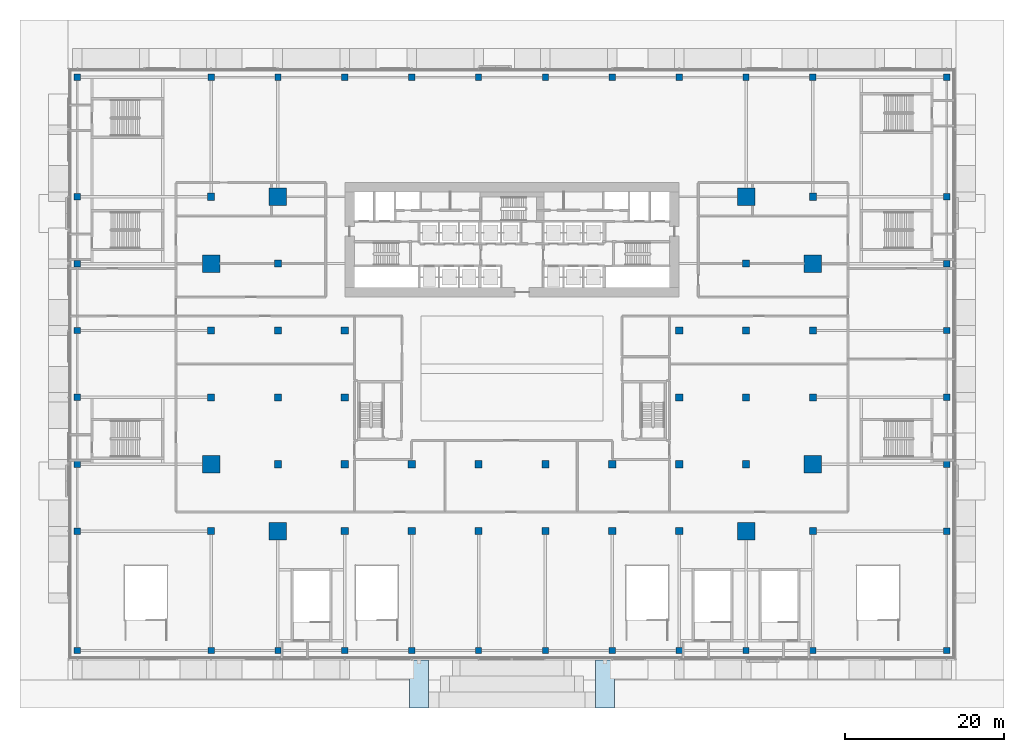
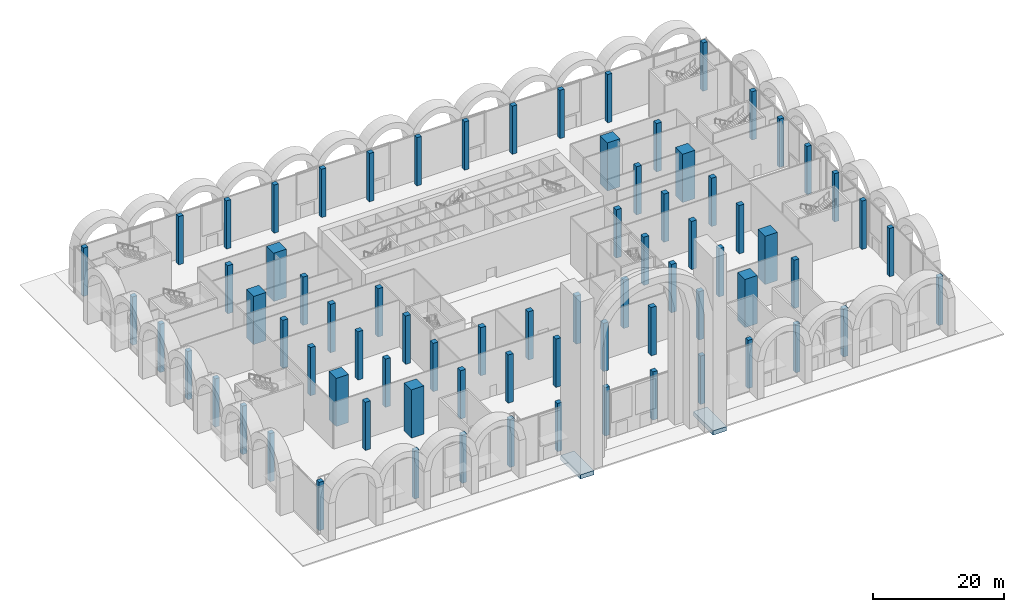
# One storey, part 1 of 43: 76 columns, 2 footings.
"""IFC4 building model written with IfcOpenShell, lengths in metres."""

import ifcopenshell
import ifcopenshell.guid

model = None  # the IFC model being written
_history = None  # IfcOwnerHistory: only IFC2X3 demands one
_inside = {}  # id of a spatial element -> (the spatial element, [elements in it])
_under = {}  # id of a project, library or spatial element -> (it, [spatial elements below it])
_declared = {}  # id of a project -> (the project, [libraries it declares])
_typed = {}  # id of a type object -> (the type object, [elements of that type])
_made_of = {}  # id of a material, layer set ... -> (it, [elements and type objects made of it])


def new_model(schema):
    """Start an empty IFC model of exactly this schema.

    Asked for "IFC4X3", IfcOpenShell would pick the latest addendum, in which some entities
    have other attributes; the version numbers below select the first issue.
    IFC2X3 requires an IfcOwnerHistory on every rooted entity: one is made here for all.
    """
    global model, _history
    if schema == "IFC4X3":
        model = ifcopenshell.file(schema_version=(4, 3, 0, 0))
    else:
        model = ifcopenshell.file(schema=schema)
    _inside.clear()
    _under.clear()
    _declared.clear()
    _typed.clear()
    _made_of.clear()
    _history = None
    if model.schema == "IFC2X3":
        org = make("IfcOrganization", Name="unknown")
        user = make(
            "IfcPersonAndOrganization",
            ThePerson=make("IfcPerson", FamilyName="unknown"),
            TheOrganization=org,
        )
        app = make(
            "IfcApplication",
            ApplicationDeveloper=org,
            Version="unknown",
            ApplicationFullName="unknown",
            ApplicationIdentifier="unknown",
        )
        _history = make(
            "IfcOwnerHistory",
            OwningUser=user,
            OwningApplication=app,
            ChangeAction="ADDED",
            CreationDate=0,
        )
    return model


def make(cls, **values):
    """One entity of the class cls with the attributes given. An attribute that is None is left unset."""
    return model.create_entity(
        cls, **{name: value for name, value in values.items() if value is not None}
    )


def rooted(cls, **values):
    """An entity with a GlobalId (a new one), such as an element, a storey or a relation."""
    return make(cls, GlobalId=ifcopenshell.guid.new(), OwnerHistory=_history, **values)


def si_unit(unit_type, name, prefix=None):
    """IfcSIUnit, for example si_unit("LENGTHUNIT", "METRE", prefix="MILLI")."""
    return make("IfcSIUnit", UnitType=unit_type, Prefix=prefix, Name=name)


def assignment(units):
    """IfcUnitAssignment: the units of a project."""
    return None if units is None else make("IfcUnitAssignment", Units=units)


def point(xyz):
    """IfcCartesianPoint."""
    return None if xyz is None else make("IfcCartesianPoint", Coordinates=xyz)


def direction(xyz):
    """IfcDirection."""
    return None if xyz is None else make("IfcDirection", DirectionRatios=xyz)


def frame(location, z_axis=None, x_axis=None):
    """IfcAxis2Placement3D, a coordinate frame: its origin and axes. An axis left out is left unset."""
    return make(
        "IfcAxis2Placement3D",
        Location=point(location),
        Axis=direction(z_axis),
        RefDirection=direction(x_axis),
    )


def frame_2d(location, x_axis=None):
    """IfcAxis2Placement2D, a coordinate frame in the plane: its origin and x axis."""
    return make(
        "IfcAxis2Placement2D", Location=point(location), RefDirection=direction(x_axis)
    )


def origin():
    """The frame at (0, 0, 0) with its axes left unset."""
    return frame((0.0, 0.0, 0.0))


def origin_2d():
    """The frame at (0, 0) in the plane with its x axis left unset."""
    return frame_2d((0.0, 0.0))


def place(relative_to, where):
    """IfcLocalPlacement: puts the frame where relative to a parent placement (None: the world)."""
    return make(
        "IfcLocalPlacement", PlacementRelTo=relative_to, RelativePlacement=where
    )


def context(
    kind, dimensions, precision=None, world=None, true_north=None, identifier=None
):
    """IfcGeometricRepresentationContext, for example the 3D "Model" context."""
    return make(
        "IfcGeometricRepresentationContext",
        ContextIdentifier=identifier,
        ContextType=kind,
        CoordinateSpaceDimension=dimensions,
        Precision=precision,
        WorldCoordinateSystem=world,
        TrueNorth=true_north,
    )


def subcontext(parent, identifier, kind, view, scale=None):
    """IfcGeometricRepresentationSubContext, for example "Body" below "Model"."""
    return make(
        "IfcGeometricRepresentationSubContext",
        ContextIdentifier=identifier,
        ContextType=kind,
        ParentContext=parent,
        TargetScale=scale,
        TargetView=view,
    )


def project(units=None, contexts=None):
    """IfcProject with its units and contexts."""
    return rooted(
        "IfcProject",
        Name="project",
        RepresentationContexts=contexts,
        UnitsInContext=assignment(units),
    )


def spatial(cls, under=None, at=None, **own):
    """A site, building, storey or space (cls), placed at a placement, below another one or the project."""
    s = rooted(cls, ObjectPlacement=at, **own)
    if under is not None:
        _under.setdefault(under.id(), (under, []))[1].append(s)
    return s


def polyline(points):
    """IfcPolyline through the points."""
    return make("IfcPolyline", Points=[point(p) for p in points])


def profile(cls, at=None, kind="AREA", **sizes):
    """A parametric profile (cls). Its sizes go by their IFC names, for example OverallWidth=200.0."""
    return make(cls, ProfileType=kind, Position=at, **sizes)


def rectangle(**sizes):
    """IfcRectangleProfileDef."""
    return profile("IfcRectangleProfileDef", **sizes)


def outline(outer, holes=None, kind="AREA"):
    """IfcArbitraryClosedProfileDef: a profile drawn as a closed curve; with holes, ...WithVoids."""
    if holes is None:
        return make("IfcArbitraryClosedProfileDef", ProfileType=kind, OuterCurve=outer)
    return make(
        "IfcArbitraryProfileDefWithVoids",
        ProfileType=kind,
        OuterCurve=outer,
        InnerCurves=holes,
    )


def extrude(swept, where, along, depth):
    """IfcExtrudedAreaSolid: the profile swept, set in the frame where, extruded along a direction by depth."""
    return make(
        "IfcExtrudedAreaSolid",
        SweptArea=swept,
        Position=where,
        ExtrudedDirection=direction(along),
        Depth=depth,
    )


def shape(context_of_items, identifier, shape_type, items):
    """IfcShapeRepresentation: the items that make up one representation, for example the "Body"."""
    return make(
        "IfcShapeRepresentation",
        ContextOfItems=context_of_items,
        RepresentationIdentifier=identifier,
        RepresentationType=shape_type,
        Items=items,
    )


def material(Name=None, Category=None):
    """IfcMaterial."""
    return make("IfcMaterial", Name=Name, Category=Category)


def layer(
    of_material, thickness, ventilated=None, Name=None, Category=None, Priority=None
):
    """IfcMaterialLayer: one layer of a wall or slab, of a material (None: an air gap)."""
    return make(
        "IfcMaterialLayer",
        Material=of_material,
        LayerThickness=thickness,
        IsVentilated=ventilated,
        Name=Name,
        Category=Category,
        Priority=Priority,
    )


def layer_set(layers, Name=None):
    """IfcMaterialLayerSet."""
    return make("IfcMaterialLayerSet", MaterialLayers=layers, LayerSetName=Name)


def material_profile(
    of_material, cross_section, Name=None, Category=None, Priority=None
):
    """IfcMaterialProfile: a cross section and its material."""
    return make(
        "IfcMaterialProfile",
        Name=Name,
        Material=of_material,
        Profile=cross_section,
        Priority=Priority,
        Category=Category,
    )


def profile_set(profiles, Name=None, composite=None):
    """IfcMaterialProfileSet."""
    return make(
        "IfcMaterialProfileSet",
        Name=Name,
        MaterialProfiles=profiles,
        CompositeProfile=composite,
    )


def made_of(thing, what):
    """Note that an element or type object is made of a material, layer set ...; save() writes the relation."""
    if what is not None:
        _made_of.setdefault(what.id(), (what, []))[1].append(thing)
    return thing


def type_object(cls, material=None, **own):
    """A type object (cls), such as IfcWallType, which elements share."""
    return made_of(rooted(cls, **own), material)


def element(
    cls,
    number,
    at=None,
    inside=None,
    cuts=None,
    type_object=None,
    material=None,
    context=None,
    identifier="Body",
    shape_type=None,
    held_by="IfcProductDefinitionShape",
    body=None,
    shapes=None,
    **own,
):
    """One element of the class cls, such as IfcWall. Its Tag is "e" and its number.

    at: its placement. inside: the storey or other place that contains it. cuts: it is an
    opening in that element (IfcRelVoidsElement). A single representation is given by context,
    identifier, shape_type and body (its items); several are given by shapes. held_by: the class
    of the entity that holds the representations. save() writes the other relations.
    """
    e = rooted(cls, Tag="e%d" % number, ObjectPlacement=at, **own)
    if body is not None:
        shapes = [shape(context, identifier, shape_type, body)]
    if shapes is not None:
        e.Representation = make(held_by, Representations=shapes)
    if inside is not None:
        _inside.setdefault(inside.id(), (inside, []))[1].append(e)
    if cuts is not None:
        rooted(
            "IfcRelVoidsElement", RelatingBuildingElement=cuts, RelatedOpeningElement=e
        )
    if type_object is not None:
        _typed.setdefault(type_object.id(), (type_object, []))[1].append(e)
    return made_of(e, material)


def aggregate(whole, parts):
    """IfcRelAggregates: a whole, such as a stair, and the parts it consists of."""
    return rooted("IfcRelAggregates", RelatingObject=whole, RelatedObjects=parts)


def save(model, path):
    """Write the relations noted so far, then the file.

    IfcRelAggregates (storeys below a building ...), IfcRelContainedInSpatialStructure (elements
    in a storey), IfcRelDefinesByType, IfcRelAssociatesMaterial and IfcRelDeclares: one each for
    every whole, place, type object, material and project.
    """
    for whole, parts in _under.values():
        aggregate(whole, parts)
    for where, things in _inside.values():
        rooted(
            "IfcRelContainedInSpatialStructure",
            RelatedElements=things,
            RelatingStructure=where,
        )
    for kind, things in _typed.values():
        rooted("IfcRelDefinesByType", RelatedObjects=things, RelatingType=kind)
    for what, things in _made_of.values():
        rooted("IfcRelAssociatesMaterial", RelatedObjects=things, RelatingMaterial=what)
    for by, libraries in _declared.values():
        rooted("IfcRelDeclares", RelatingContext=by, RelatedDefinitions=libraries)
    model.write(path)


model = new_model("IFC4")

# Units and contexts
model_context = context("Model", 3, precision=1e-05, world=origin(), true_north=direction((0.0, 1.0)))
body_context = subcontext(model_context, "Body", "Model", "MODEL_VIEW")
ifc_project = project(units=[si_unit("LENGTHUNIT", "METRE"), si_unit("AREAUNIT", "SQUARE_METRE"), si_unit("VOLUMEUNIT", "CUBIC_METRE"), si_unit("PLANEANGLEUNIT", "RADIAN"), si_unit("MASSUNIT", "GRAM", prefix="KILO")], contexts=[model_context])

# Site, building, storey
site_placement = place(None, origin())
site = spatial("IfcSite", under=ifc_project, at=site_placement, CompositionType="ELEMENT")
building_placement = place(site_placement, origin())
building = spatial("IfcBuilding", under=site, at=building_placement, Name="Saffron Gate Tower", CompositionType="ELEMENT")
storey_placement = place(building_placement, origin())
storey = spatial("IfcBuildingStorey", under=building, at=storey_placement, Name="L00", CompositionType="ELEMENT", Elevation=0.0)

# Footings
ifc_material_1 = material(Name="Reinforced concrete C30/37", Category="concrete")
ifc_layer = layer(ifc_material_1, 0.800048828125)
ifc_layer_set = layer_set([ifc_layer], Name="IW4 iwan pier footing")
footing_type = type_object("IfcFootingType", Name="IW4 iwan pier footing", PredefinedType="PAD_FOOTING", material=ifc_layer_set)
footing_1_placement = place(storey_placement, frame((0.0, 0.0, -1.0)))
element("IfcFooting", 1, at=footing_1_placement, inside=storey, type_object=footing_type, Name="IWAN PIER footing", PredefinedType="PAD_FOOTING", context=body_context, shape_type="SweptSolid", body=[
    extrude(outline(polyline([(74.699951171875, 15.60009765625), (77.10009765625, 15.60009765625), (77.10009765625, 9.60009765625), (74.699951171875, 9.60009765625), (74.699951171875, 15.60009765625)])), origin(), (0.0, 0.0, 1.0), 0.800048828125),
])
footing_2_placement = place(storey_placement, frame((0.0, 0.0, -1.0)))
element("IfcFooting", 2, at=footing_2_placement, inside=storey, type_object=footing_type, Name="IWAN PIER footing", PredefinedType="PAD_FOOTING", context=body_context, shape_type="SweptSolid", body=[
    extrude(outline(polyline([(98.10009765625, 15.60009765625), (100.5, 15.60009765625), (100.5, 9.60009765625), (98.10009765625, 9.60009765625), (98.10009765625, 15.60009765625)])), origin(), (0.0, 0.0, 1.0), 0.800048828125),
])

# Columns
ifc_material_2 = material(Name="Concrete C50", Category="concrete")
ifc_material_profile_1 = material_profile(ifc_material_2, rectangle(XDim=0.800048828125, YDim=0.800048828125, at=origin_2d()))
ifc_profile_set_1 = profile_set([ifc_material_profile_1], Name="Concrete C50")
column_type_1 = type_object("IfcColumnType", Name="C4 RC 800x800 CONCRETE C50", PredefinedType="COLUMN", material=ifc_profile_set_1)
for number, where, z_axis, x_axis, name in (
    (3, (33.0, 16.800048828125, 0.0), (0.0, 0.0, 1.0), (1.0, 0.0, 0.0), "C4 COLUMN RS01"),
    (4, (33.0, 88.800048828125, 0.0), (0.0, 0.0, 1.0), (1.0, 0.0, 0.0), "C4 COLUMN RN01"),
    (5, (49.800048828125, 16.800048828125, 0.0), (0.0, 0.0, 1.0), (1.0, 0.0, 0.0), "C4 COLUMN RS02"),
    (6, (49.800048828125, 88.800048828125, 0.0), (0.0, 0.0, 1.0), (1.0, 0.0, 0.0), "C4 COLUMN RN02"),
    (7, (58.199951171875, 16.800048828125, 0.0), (0.0, 0.0, 1.0), (1.0, 0.0, 0.0), "C4 COLUMN RS03"),
    (8, (58.199951171875, 88.800048828125, 0.0), (0.0, 0.0, 1.0), (1.0, 0.0, 0.0), "C4 COLUMN RN03"),
    (9, (66.60009765625, 16.800048828125, 0.0), (0.0, 0.0, 1.0), (1.0, 0.0, 0.0), "C4 COLUMN RS04"),
    (10, (66.60009765625, 88.800048828125, 0.0), (0.0, 0.0, 1.0), (1.0, 0.0, 0.0), "C4 COLUMN RN04"),
    (11, (75.0, 16.800048828125, 0.0), (0.0, 0.0, 1.0), (1.0, 0.0, 0.0), "C4 COLUMN RS05"),
    (12, (75.0, 88.800048828125, 0.0), (0.0, 0.0, 1.0), (1.0, 0.0, 0.0), "C4 COLUMN RN05"),
    (13, (83.39990234375, 16.800048828125, 0.0), (0.0, 0.0, 1.0), (1.0, 0.0, 0.0), "C4 COLUMN RS06"),
    (14, (83.39990234375, 88.800048828125, 0.0), (0.0, 0.0, 1.0), (1.0, 0.0, 0.0), "C4 COLUMN RN06"),
    (15, (91.800048828125, 16.800048828125, 0.0), (0.0, 0.0, 1.0), (1.0, 0.0, 0.0), "C4 COLUMN RS07"),
    (16, (91.800048828125, 88.800048828125, 0.0), (0.0, 0.0, 1.0), (1.0, 0.0, 0.0), "C4 COLUMN RN07"),
    (17, (100.199951171875, 16.800048828125, 0.0), (0.0, 0.0, 1.0), (1.0, 0.0, 0.0), "C4 COLUMN RS08"),
    (18, (100.199951171875, 88.800048828125, 0.0), (0.0, 0.0, 1.0), (1.0, 0.0, 0.0), "C4 COLUMN RN08"),
    (19, (108.60009765625, 16.800048828125, 0.0), (0.0, 0.0, 1.0), (1.0, 0.0, 0.0), "C4 COLUMN RS09"),
    (20, (108.60009765625, 88.800048828125, 0.0), (0.0, 0.0, 1.0), (1.0, 0.0, 0.0), "C4 COLUMN RN09"),
    (21, (117.0, 16.800048828125, 0.0), (0.0, 0.0, 1.0), (1.0, 0.0, 0.0), "C4 COLUMN RS10"),
    (22, (117.0, 88.800048828125, 0.0), (0.0, 0.0, 1.0), (1.0, 0.0, 0.0), "C4 COLUMN RN10"),
    (23, (125.39990234375, 16.800048828125, 0.0), (0.0, 0.0, 1.0), (1.0, 0.0, 0.0), "C4 COLUMN RS11"),
    (24, (125.39990234375, 88.800048828125, 0.0), (0.0, 0.0, 1.0), (1.0, 0.0, 0.0), "C4 COLUMN RN11"),
    (25, (142.199951171875, 16.800048828125, 0.0), (0.0, 0.0, 1.0), (1.0, 0.0, 0.0), "C4 COLUMN RS12"),
    (26, (142.199951171875, 88.800048828125, 0.0), (0.0, 0.0, 1.0), (1.0, 0.0, 0.0), "C4 COLUMN RN12"),
    (27, (33.0, 31.800048828125, 0.0), (0.0, 0.0, 1.0), (1.0, 0.0, 0.0), "C4 COLUMN RW01"),
    (28, (142.199951171875, 31.800048828125, 0.0), (0.0, 0.0, 1.0), (1.0, 0.0, 0.0), "C4 COLUMN RE01"),
    (29, (33.0, 40.199951171875, 0.0), (0.0, 0.0, 1.0), (1.0, 0.0, 0.0), "C4 COLUMN RW02"),
    (30, (142.199951171875, 40.199951171875, 0.0), (0.0, 0.0, 1.0), (1.0, 0.0, 0.0), "C4 COLUMN RE02"),
    (31, (33.0, 48.60009765625, 0.0), (0.0, 0.0, 1.0), (1.0, 0.0, 0.0), "C4 COLUMN RW03"),
    (32, (142.199951171875, 48.60009765625, 0.0), (0.0, 0.0, 1.0), (1.0, 0.0, 0.0), "C4 COLUMN RE03"),
    (33, (33.0, 57.0, 0.0), (0.0, 0.0, 1.0), (1.0, 0.0, 0.0), "C4 COLUMN RW04"),
    (34, (142.199951171875, 57.0, 0.0), (0.0, 0.0, 1.0), (1.0, 0.0, 0.0), "C4 COLUMN RE04"),
    (35, (33.0, 65.39990234375, 0.0), (0.0, 0.0, 1.0), (1.0, 0.0, 0.0), "C4 COLUMN RW05"),
    (36, (142.199951171875, 65.39990234375, 0.0), (0.0, 0.0, 1.0), (1.0, 0.0, 0.0), "C4 COLUMN RE05"),
    (37, (33.0, 73.800048828125, 0.0), (0.0, 0.0, 1.0), (1.0, 0.0, 0.0), "C4 COLUMN RW06"),
    (38, (142.199951171875, 73.800048828125, 0.0), (0.0, 0.0, 1.0), (1.0, 0.0, 0.0), "C4 COLUMN RE06"),
):
    element("IfcColumn", number, at=place(storey_placement, frame(where, z_axis=z_axis, x_axis=x_axis)), inside=storey, type_object=column_type_1, Name=name, PredefinedType="COLUMN", context=body_context, shape_type="SweptSolid", body=[
        extrude(rectangle(XDim=0.800048828125, YDim=0.800048828125, at=origin_2d()), origin(), (0.0, 0.0, 1.0), 9.0),
    ])
ifc_material_3 = material(Name="Concrete C60", Category="concrete")
ifc_material_profile_2 = material_profile(ifc_material_3, rectangle(XDim=0.89990234375, YDim=0.89990234375, at=origin_2d()))
ifc_profile_set_2 = profile_set([ifc_material_profile_2], Name="Concrete C60")
column_type_2 = type_object("IfcColumnType", Name="C6 RC 900x900 CONCRETE C60", PredefinedType="COLUMN", material=ifc_profile_set_2)
for number, where, z_axis, x_axis, name in (
    (39, (49.800048828125, 31.800048828125, 0.0), (0.0, 0.0, 1.0), (1.0, 0.0, 0.0), "C6 COLUMN X1-A"),
    (40, (49.800048828125, 48.60009765625, 0.0), (0.0, 0.0, 1.0), (1.0, 0.0, 0.0), "C6 COLUMN X1-C"),
    (41, (49.800048828125, 57.0, 0.0), (0.0, 0.0, 1.0), (1.0, 0.0, 0.0), "C6 COLUMN X1-D"),
    (42, (49.800048828125, 73.800048828125, 0.0), (0.0, 0.0, 1.0), (1.0, 0.0, 0.0), "C6 COLUMN X1-F"),
    (43, (58.199951171875, 40.199951171875, 0.0), (0.0, 0.0, 1.0), (1.0, 0.0, 0.0), "C6 COLUMN X2-B"),
    (44, (58.199951171875, 48.60009765625, 0.0), (0.0, 0.0, 1.0), (1.0, 0.0, 0.0), "C6 COLUMN X2-C"),
    (45, (58.199951171875, 57.0, 0.0), (0.0, 0.0, 1.0), (1.0, 0.0, 0.0), "C6 COLUMN X2-D"),
    (46, (58.199951171875, 65.39990234375, 0.0), (0.0, 0.0, 1.0), (1.0, 0.0, 0.0), "C6 COLUMN X2-E"),
    (47, (66.60009765625, 31.800048828125, 0.0), (0.0, 0.0, 1.0), (1.0, 0.0, 0.0), "C6 COLUMN X3-A"),
    (48, (66.60009765625, 40.199951171875, 0.0), (0.0, 0.0, 1.0), (1.0, 0.0, 0.0), "C6 COLUMN X3-B"),
    (49, (66.60009765625, 48.60009765625, 0.0), (0.0, 0.0, 1.0), (1.0, 0.0, 0.0), "C6 COLUMN X3-C"),
    (50, (66.60009765625, 57.0, 0.0), (0.0, 0.0, 1.0), (1.0, 0.0, 0.0), "C6 COLUMN X3-D"),
    (51, (75.0, 31.800048828125, 0.0), (0.0, 0.0, 1.0), (1.0, 0.0, 0.0), "C6 COLUMN X4-A"),
    (52, (75.0, 40.199951171875, 0.0), (0.0, 0.0, 1.0), (1.0, 0.0, 0.0), "C6 COLUMN X4-B"),
    (53, (83.39990234375, 31.800048828125, 0.0), (0.0, 0.0, 1.0), (1.0, 0.0, 0.0), "C6 COLUMN X5-A"),
    (54, (83.39990234375, 40.199951171875, 0.0), (0.0, 0.0, 1.0), (1.0, 0.0, 0.0), "C6 COLUMN X5-B"),
    (55, (91.800048828125, 31.800048828125, 0.0), (0.0, 0.0, 1.0), (1.0, 0.0, 0.0), "C6 COLUMN X6-A"),
    (56, (91.800048828125, 40.199951171875, 0.0), (0.0, 0.0, 1.0), (1.0, 0.0, 0.0), "C6 COLUMN X6-B"),
    (57, (100.199951171875, 31.800048828125, 0.0), (0.0, 0.0, 1.0), (1.0, 0.0, 0.0), "C6 COLUMN X7-A"),
    (58, (100.199951171875, 40.199951171875, 0.0), (0.0, 0.0, 1.0), (1.0, 0.0, 0.0), "C6 COLUMN X7-B"),
    (59, (108.60009765625, 31.800048828125, 0.0), (0.0, 0.0, 1.0), (1.0, 0.0, 0.0), "C6 COLUMN X8-A"),
    (60, (108.60009765625, 40.199951171875, 0.0), (0.0, 0.0, 1.0), (1.0, 0.0, 0.0), "C6 COLUMN X8-B"),
    (61, (108.60009765625, 48.60009765625, 0.0), (0.0, 0.0, 1.0), (1.0, 0.0, 0.0), "C6 COLUMN X8-C"),
    (62, (108.60009765625, 57.0, 0.0), (0.0, 0.0, 1.0), (1.0, 0.0, 0.0), "C6 COLUMN X8-D"),
    (63, (117.0, 40.199951171875, 0.0), (0.0, 0.0, 1.0), (1.0, 0.0, 0.0), "C6 COLUMN X9-B"),
    (64, (117.0, 48.60009765625, 0.0), (0.0, 0.0, 1.0), (1.0, 0.0, 0.0), "C6 COLUMN X9-C"),
    (65, (117.0, 57.0, 0.0), (0.0, 0.0, 1.0), (1.0, 0.0, 0.0), "C6 COLUMN X9-D"),
    (66, (117.0, 65.39990234375, 0.0), (0.0, 0.0, 1.0), (1.0, 0.0, 0.0), "C6 COLUMN X9-E"),
    (67, (125.39990234375, 31.800048828125, 0.0), (0.0, 0.0, 1.0), (1.0, 0.0, 0.0), "C6 COLUMN X10-A"),
    (68, (125.39990234375, 48.60009765625, 0.0), (0.0, 0.0, 1.0), (1.0, 0.0, 0.0), "C6 COLUMN X10-C"),
    (69, (125.39990234375, 57.0, 0.0), (0.0, 0.0, 1.0), (1.0, 0.0, 0.0), "C6 COLUMN X10-D"),
    (70, (125.39990234375, 73.800048828125, 0.0), (0.0, 0.0, 1.0), (1.0, 0.0, 0.0), "C6 COLUMN X10-F"),
):
    element("IfcColumn", number, at=place(storey_placement, frame(where, z_axis=z_axis, x_axis=x_axis)), inside=storey, type_object=column_type_2, Name=name, PredefinedType="COLUMN", context=body_context, shape_type="SweptSolid", body=[
        extrude(rectangle(XDim=0.89990234375, YDim=0.89990234375, at=origin_2d()), origin(), (0.0, 0.0, 1.0), 9.0),
    ])
ifc_material_4 = material(Name="Concrete C80", Category="concrete")
ifc_material_profile_3 = material_profile(ifc_material_4, rectangle(XDim=2.199951171875, YDim=2.199951171875, at=origin_2d()))
ifc_profile_set_3 = profile_set([ifc_material_profile_3], Name="Concrete C80")
column_type_3 = type_object("IfcColumnType", Name="MC4 RC 2200x2200 CONCRETE C80", PredefinedType="COLUMN", material=ifc_profile_set_3)
for number, where, z_axis, x_axis, name in (
    (71, (49.800048828125, 40.199951171875, 0.0), (0.0, 0.0, 1.0), (1.0, 0.0, 0.0), "MC4 MEGA COLUMN X1-B"),
    (72, (49.800048828125, 65.39990234375, 0.0), (0.0, 0.0, 1.0), (1.0, 0.0, 0.0), "MC4 MEGA COLUMN X1-E"),
    (73, (58.199951171875, 31.800048828125, 0.0), (0.0, 0.0, 1.0), (1.0, 0.0, 0.0), "MC4 MEGA COLUMN X2-A"),
    (74, (58.199951171875, 73.800048828125, 0.0), (0.0, 0.0, 1.0), (1.0, 0.0, 0.0), "MC4 MEGA COLUMN X2-F"),
    (75, (117.0, 31.800048828125, 0.0), (0.0, 0.0, 1.0), (1.0, 0.0, 0.0), "MC4 MEGA COLUMN X9-A"),
    (76, (117.0, 73.800048828125, 0.0), (0.0, 0.0, 1.0), (1.0, 0.0, 0.0), "MC4 MEGA COLUMN X9-F"),
    (77, (125.39990234375, 40.199951171875, 0.0), (0.0, 0.0, 1.0), (1.0, 0.0, 0.0), "MC4 MEGA COLUMN X10-B"),
    (78, (125.39990234375, 65.39990234375, 0.0), (0.0, 0.0, 1.0), (1.0, 0.0, 0.0), "MC4 MEGA COLUMN X10-E"),
):
    element("IfcColumn", number, at=place(storey_placement, frame(where, z_axis=z_axis, x_axis=x_axis)), inside=storey, type_object=column_type_3, Name=name, PredefinedType="COLUMN", context=body_context, shape_type="SweptSolid", body=[
        extrude(rectangle(XDim=2.199951171875, YDim=2.199951171875, at=origin_2d()), origin(), (0.0, 0.0, 1.0), 9.0),
    ])

save(model, "model.ifc")
